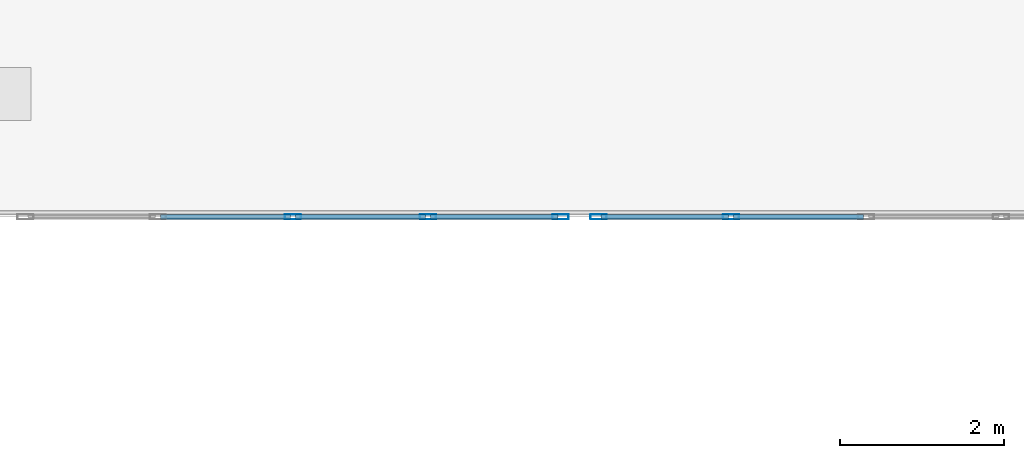
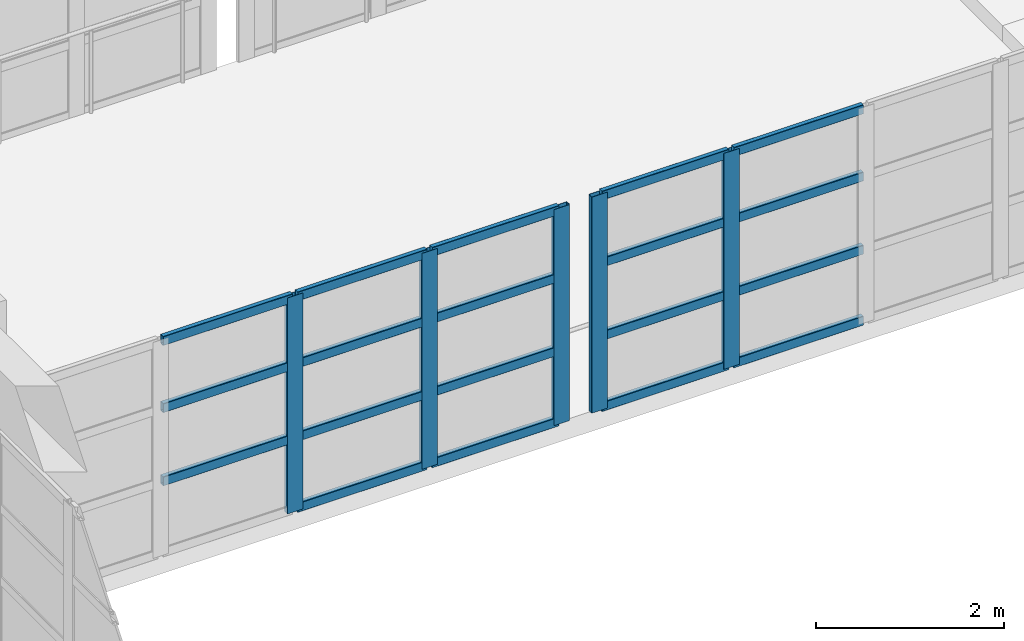
# One storey, part 11 of 124: 24 members, 2 elements without a shape of their own.
"""IFC4 building model written with IfcOpenShell, lengths in metres."""

from ifc_helpers import new_model, si_unit, direction, frame, origin, origin_2d, place, context, subcontext, project, spatial, hollow_rectangle, extrude, material, material_profile, profile_set, type_object, element, aggregate, save


model = new_model("IFC4")

# Units and contexts
model_context = context("Model", 3, precision=1e-05, world=origin(), true_north=direction((0.0, 1.0)))
body_context = subcontext(model_context, "Body", "Model", "MODEL_VIEW")
ifc_project = project(units=[si_unit("LENGTHUNIT", "METRE"), si_unit("AREAUNIT", "SQUARE_METRE"), si_unit("VOLUMEUNIT", "CUBIC_METRE"), si_unit("PLANEANGLEUNIT", "RADIAN"), si_unit("MASSUNIT", "GRAM", prefix="KILO")], contexts=[model_context])

# Site, building, storey
site_placement = place(None, origin())
site = spatial("IfcSite", under=ifc_project, at=site_placement, CompositionType="ELEMENT")
building_placement = place(site_placement, origin())
building = spatial("IfcBuilding", under=site, at=building_placement, Name="Qasida Concert Hall", CompositionType="ELEMENT")
storey_placement = place(building_placement, frame((0.0, 0.0, 9.0)))
storey = spatial("IfcBuildingStorey", under=building, at=storey_placement, Name="L02", CompositionType="ELEMENT", Elevation=9.0)

# Curtain wall, members
ifc_material_1 = material(Name="Architectural bronze-anodized aluminium and low-E glass", Category="aluminium")
curtain_wall_type = type_object("IfcCurtainWallType", Name="CW-08", PredefinedType="NOTDEFINED", material=ifc_material_1)
curtain_wall_1_placement = place(storey_placement, origin())
curtain_wall_1 = element("IfcCurtainWall", 1, at=curtain_wall_1_placement, inside=storey, type_object=curtain_wall_type, Name="L02 link bridge glazing 0202", PredefinedType="NOTDEFINED")
ifc_material_2 = material(Name="Architectural bronze-anodized aluminium EN AW-6063", Category="aluminium")
ifc_material_profile_1 = material_profile(ifc_material_2, hollow_rectangle(XDim=0.06494140625, YDim=0.199951171875, WallThickness=0.0048828125, InnerFilletRadius=0.0048828125, OuterFilletRadius=0.010009765625, at=origin_2d()), Name="CWM 200x65x5")
ifc_profile_set_1 = profile_set([ifc_material_profile_1], Name="Architectural bronze-anodized aluminium EN AW-6063")
member_type_1 = type_object("IfcMemberType", Name="MB-CWM-2", PredefinedType="MULLION", material=ifc_profile_set_1)
member_1_placement = place(storey_placement, frame((41.5, 30.0, 0.0), z_axis=(0.0, 0.0, 1.0), x_axis=(0.0, 1.0, 0.0)))
member_1 = element("IfcMember", 2, at=member_1_placement, type_object=member_type_1, Name="CW-08 mullion 3", PredefinedType="MULLION", context=body_context, shape_type="SweptSolid", body=[
    extrude(hollow_rectangle(XDim=0.06494140625, YDim=0.199951171875, WallThickness=0.0048828125, InnerFilletRadius=0.0048828125, OuterFilletRadius=0.010009765625, at=origin_2d()), origin(), (0.0, 0.0, 1.0), 2.800048828125),
])
member_2_placement = place(storey_placement, frame((43.14990234375, 30.0, 0.0), z_axis=(0.0, 0.0, 1.0), x_axis=(0.0, 1.0, 0.0)))
member_2 = element("IfcMember", 3, at=member_2_placement, type_object=member_type_1, Name="CW-08 mullion 4", PredefinedType="MULLION", context=body_context, shape_type="SweptSolid", body=[
    extrude(hollow_rectangle(XDim=0.06494140625, YDim=0.199951171875, WallThickness=0.0048828125, InnerFilletRadius=0.0048828125, OuterFilletRadius=0.010009765625, at=origin_2d()), origin(), (0.0, 0.0, 1.0), 2.800048828125),
])
member_3_placement = place(storey_placement, frame((44.767578125, 30.0, 0.0), z_axis=(0.0, 0.0, 1.0), x_axis=(0.0, 1.0, 0.0)))
member_3 = element("IfcMember", 4, at=member_3_placement, type_object=member_type_1, Name="CW-08 mullion 5", PredefinedType="MULLION", context=body_context, shape_type="SweptSolid", body=[
    extrude(hollow_rectangle(XDim=0.06494140625, YDim=0.199951171875, WallThickness=0.0048828125, InnerFilletRadius=0.0048828125, OuterFilletRadius=0.010009765625, at=origin_2d()), origin(), (0.0, 0.0, 1.0), 2.800048828125),
])

curtain_wall_2_placement = place(storey_placement, origin())
curtain_wall_2 = element("IfcCurtainWall", 5, at=curtain_wall_2_placement, inside=storey, type_object=curtain_wall_type, Name="L02 link bridge glazing 0204", PredefinedType="NOTDEFINED")
member_4_placement = place(storey_placement, frame((45.232421875, 30.0, 0.0), z_axis=(0.0, 0.0, 1.0), x_axis=(0.0, 1.0, 0.0)))
member_4 = element("IfcMember", 6, at=member_4_placement, type_object=member_type_1, Name="CW-08 mullion 1", PredefinedType="MULLION", context=body_context, shape_type="SweptSolid", body=[
    extrude(hollow_rectangle(XDim=0.06494140625, YDim=0.199951171875, WallThickness=0.0048828125, InnerFilletRadius=0.0048828125, OuterFilletRadius=0.010009765625, at=origin_2d()), origin(), (0.0, 0.0, 1.0), 2.800048828125),
])
member_5_placement = place(storey_placement, frame((46.85009765625, 30.0, 0.0), z_axis=(0.0, 0.0, 1.0), x_axis=(0.0, 1.0, 0.0)))
member_5 = element("IfcMember", 7, at=member_5_placement, type_object=member_type_1, Name="CW-08 mullion 2", PredefinedType="MULLION", context=body_context, shape_type="SweptSolid", body=[
    extrude(hollow_rectangle(XDim=0.06494140625, YDim=0.199951171875, WallThickness=0.0048828125, InnerFilletRadius=0.0048828125, OuterFilletRadius=0.010009765625, at=origin_2d()), origin(), (0.0, 0.0, 1.0), 2.800048828125),
])

# Member
ifc_material_profile_2 = material_profile(ifc_material_2, hollow_rectangle(XDim=0.06005859375, YDim=0.1201171875, WallThickness=0.00390625, InnerFilletRadius=0.00390625, OuterFilletRadius=0.008056640625, at=origin_2d()), Name="CWT 120x60x4")
ifc_profile_set_2 = profile_set([ifc_material_profile_2], Name="Architectural bronze-anodized aluminium EN AW-6063")
member_type_2 = type_object("IfcMemberType", Name="MB-CWT-2", PredefinedType="USERDEFINED", material=ifc_profile_set_2)
member_6_placement = place(storey_placement, frame((39.882568359375, 30.0, 0.949951171875), z_axis=(1.0, 0.0, 0.0), x_axis=(0.0, 1.0, 0.0)))
member_6 = element("IfcMember", 8, at=member_6_placement, type_object=member_type_2, Name="CW-08 transom 2.2", ObjectType="TRANSOM", PredefinedType="USERDEFINED", context=body_context, shape_type="SweptSolid", body=[
    extrude(hollow_rectangle(XDim=0.06005859375, YDim=0.1201171875, WallThickness=0.00390625, InnerFilletRadius=0.00390625, OuterFilletRadius=0.008056640625, at=origin_2d()), origin(), (0.0, 0.0, 1.0), 1.5849609375),
])

member_7_placement = place(storey_placement, frame((39.882568359375, 30.0, 1.89990234375), z_axis=(1.0, 0.0, 0.0), x_axis=(0.0, 1.0, 0.0)))
member_7 = element("IfcMember", 9, at=member_7_placement, type_object=member_type_2, Name="CW-08 transom 2.3", ObjectType="TRANSOM", PredefinedType="USERDEFINED", context=body_context, shape_type="SweptSolid", body=[
    extrude(hollow_rectangle(XDim=0.06005859375, YDim=0.1201171875, WallThickness=0.00390625, InnerFilletRadius=0.00390625, OuterFilletRadius=0.008056640625, at=origin_2d()), origin(), (0.0, 0.0, 1.0), 1.5849609375),
])

member_8_placement = place(storey_placement, frame((39.882568359375, 30.0, 2.77001953125), z_axis=(1.0, 0.0, 0.0), x_axis=(0.0, 1.0, 0.0)))
member_8 = element("IfcMember", 10, at=member_8_placement, type_object=member_type_2, Name="CW-08 transom 2.4", ObjectType="TRANSOM", PredefinedType="USERDEFINED", context=body_context, shape_type="SweptSolid", body=[
    extrude(hollow_rectangle(XDim=0.06005859375, YDim=0.1201171875, WallThickness=0.00390625, InnerFilletRadius=0.00390625, OuterFilletRadius=0.008056640625, at=origin_2d()), origin(), (0.0, 0.0, 1.0), 1.5849609375),
])

member_9_placement = place(storey_placement, frame((41.532470703125, 30.0, 0.030029296875), z_axis=(1.0, 0.0, 0.0), x_axis=(0.0, 1.0, 0.0)))
member_9 = element("IfcMember", 11, at=member_9_placement, type_object=member_type_2, Name="CW-08 transom 3.1", ObjectType="TRANSOM", PredefinedType="USERDEFINED", context=body_context, shape_type="SweptSolid", body=[
    extrude(hollow_rectangle(XDim=0.06005859375, YDim=0.1201171875, WallThickness=0.00390625, InnerFilletRadius=0.00390625, OuterFilletRadius=0.008056640625, at=origin_2d()), origin(), (0.0, 0.0, 1.0), 1.5849609375),
])

member_10_placement = place(storey_placement, frame((41.532470703125, 30.0, 0.949951171875), z_axis=(1.0, 0.0, 0.0), x_axis=(0.0, 1.0, 0.0)))
member_10 = element("IfcMember", 12, at=member_10_placement, type_object=member_type_2, Name="CW-08 transom 3.2", ObjectType="TRANSOM", PredefinedType="USERDEFINED", context=body_context, shape_type="SweptSolid", body=[
    extrude(hollow_rectangle(XDim=0.06005859375, YDim=0.1201171875, WallThickness=0.00390625, InnerFilletRadius=0.00390625, OuterFilletRadius=0.008056640625, at=origin_2d()), origin(), (0.0, 0.0, 1.0), 1.5849609375),
])

member_11_placement = place(storey_placement, frame((41.532470703125, 30.0, 1.89990234375), z_axis=(1.0, 0.0, 0.0), x_axis=(0.0, 1.0, 0.0)))
member_11 = element("IfcMember", 13, at=member_11_placement, type_object=member_type_2, Name="CW-08 transom 3.3", ObjectType="TRANSOM", PredefinedType="USERDEFINED", context=body_context, shape_type="SweptSolid", body=[
    extrude(hollow_rectangle(XDim=0.06005859375, YDim=0.1201171875, WallThickness=0.00390625, InnerFilletRadius=0.00390625, OuterFilletRadius=0.008056640625, at=origin_2d()), origin(), (0.0, 0.0, 1.0), 1.5849609375),
])

member_12_placement = place(storey_placement, frame((41.532470703125, 30.0, 2.77001953125), z_axis=(1.0, 0.0, 0.0), x_axis=(0.0, 1.0, 0.0)))
member_12 = element("IfcMember", 14, at=member_12_placement, type_object=member_type_2, Name="CW-08 transom 3.4", ObjectType="TRANSOM", PredefinedType="USERDEFINED", context=body_context, shape_type="SweptSolid", body=[
    extrude(hollow_rectangle(XDim=0.06005859375, YDim=0.1201171875, WallThickness=0.00390625, InnerFilletRadius=0.00390625, OuterFilletRadius=0.008056640625, at=origin_2d()), origin(), (0.0, 0.0, 1.0), 1.5849609375),
])

member_13_placement = place(storey_placement, frame((43.1826171875, 30.0, 0.030029296875), z_axis=(1.0, 0.0, 0.0), x_axis=(0.0, 1.0, 0.0)))
member_13 = element("IfcMember", 15, at=member_13_placement, type_object=member_type_2, Name="CW-08 transom 4.1", ObjectType="TRANSOM", PredefinedType="USERDEFINED", context=body_context, shape_type="SweptSolid", body=[
    extrude(hollow_rectangle(XDim=0.06005859375, YDim=0.1201171875, WallThickness=0.00390625, InnerFilletRadius=0.00390625, OuterFilletRadius=0.008056640625, at=origin_2d()), origin(), (0.0, 0.0, 1.0), 1.552490234375),
])

member_14_placement = place(storey_placement, frame((43.1826171875, 30.0, 0.949951171875), z_axis=(1.0, 0.0, 0.0), x_axis=(0.0, 1.0, 0.0)))
member_14 = element("IfcMember", 16, at=member_14_placement, type_object=member_type_2, Name="CW-08 transom 4.2", ObjectType="TRANSOM", PredefinedType="USERDEFINED", context=body_context, shape_type="SweptSolid", body=[
    extrude(hollow_rectangle(XDim=0.06005859375, YDim=0.1201171875, WallThickness=0.00390625, InnerFilletRadius=0.00390625, OuterFilletRadius=0.008056640625, at=origin_2d()), origin(), (0.0, 0.0, 1.0), 1.552490234375),
])

member_15_placement = place(storey_placement, frame((43.1826171875, 30.0, 1.89990234375), z_axis=(1.0, 0.0, 0.0), x_axis=(0.0, 1.0, 0.0)))
member_15 = element("IfcMember", 17, at=member_15_placement, type_object=member_type_2, Name="CW-08 transom 4.3", ObjectType="TRANSOM", PredefinedType="USERDEFINED", context=body_context, shape_type="SweptSolid", body=[
    extrude(hollow_rectangle(XDim=0.06005859375, YDim=0.1201171875, WallThickness=0.00390625, InnerFilletRadius=0.00390625, OuterFilletRadius=0.008056640625, at=origin_2d()), origin(), (0.0, 0.0, 1.0), 1.552490234375),
])

member_16_placement = place(storey_placement, frame((43.1826171875, 30.0, 2.77001953125), z_axis=(1.0, 0.0, 0.0), x_axis=(0.0, 1.0, 0.0)))
member_16 = element("IfcMember", 18, at=member_16_placement, type_object=member_type_2, Name="CW-08 transom 4.4", ObjectType="TRANSOM", PredefinedType="USERDEFINED", context=body_context, shape_type="SweptSolid", body=[
    extrude(hollow_rectangle(XDim=0.06005859375, YDim=0.1201171875, WallThickness=0.00390625, InnerFilletRadius=0.00390625, OuterFilletRadius=0.008056640625, at=origin_2d()), origin(), (0.0, 0.0, 1.0), 1.552490234375),
])

aggregate(curtain_wall_1, [member_1, member_2, member_3, member_6, member_7, member_8, member_9, member_10, member_11, member_12, member_13, member_14, member_15, member_16])

member_17_placement = place(storey_placement, frame((45.264892578125, 30.0, 0.030029296875), z_axis=(1.0, 0.0, 0.0), x_axis=(0.0, 1.0, 0.0)))
member_17 = element("IfcMember", 19, at=member_17_placement, type_object=member_type_2, Name="CW-08 transom 1.1", ObjectType="TRANSOM", PredefinedType="USERDEFINED", context=body_context, shape_type="SweptSolid", body=[
    extrude(hollow_rectangle(XDim=0.06005859375, YDim=0.1201171875, WallThickness=0.00390625, InnerFilletRadius=0.00390625, OuterFilletRadius=0.008056640625, at=origin_2d()), origin(), (0.0, 0.0, 1.0), 1.552490234375),
])

member_18_placement = place(storey_placement, frame((45.264892578125, 30.0, 0.949951171875), z_axis=(1.0, 0.0, 0.0), x_axis=(0.0, 1.0, 0.0)))
member_18 = element("IfcMember", 20, at=member_18_placement, type_object=member_type_2, Name="CW-08 transom 1.2", ObjectType="TRANSOM", PredefinedType="USERDEFINED", context=body_context, shape_type="SweptSolid", body=[
    extrude(hollow_rectangle(XDim=0.06005859375, YDim=0.1201171875, WallThickness=0.00390625, InnerFilletRadius=0.00390625, OuterFilletRadius=0.008056640625, at=origin_2d()), origin(), (0.0, 0.0, 1.0), 1.552490234375),
])

member_19_placement = place(storey_placement, frame((45.264892578125, 30.0, 1.89990234375), z_axis=(1.0, 0.0, 0.0), x_axis=(0.0, 1.0, 0.0)))
member_19 = element("IfcMember", 21, at=member_19_placement, type_object=member_type_2, Name="CW-08 transom 1.3", ObjectType="TRANSOM", PredefinedType="USERDEFINED", context=body_context, shape_type="SweptSolid", body=[
    extrude(hollow_rectangle(XDim=0.06005859375, YDim=0.1201171875, WallThickness=0.00390625, InnerFilletRadius=0.00390625, OuterFilletRadius=0.008056640625, at=origin_2d()), origin(), (0.0, 0.0, 1.0), 1.552490234375),
])

member_20_placement = place(storey_placement, frame((45.264892578125, 30.0, 2.77001953125), z_axis=(1.0, 0.0, 0.0), x_axis=(0.0, 1.0, 0.0)))
member_20 = element("IfcMember", 22, at=member_20_placement, type_object=member_type_2, Name="CW-08 transom 1.4", ObjectType="TRANSOM", PredefinedType="USERDEFINED", context=body_context, shape_type="SweptSolid", body=[
    extrude(hollow_rectangle(XDim=0.06005859375, YDim=0.1201171875, WallThickness=0.00390625, InnerFilletRadius=0.00390625, OuterFilletRadius=0.008056640625, at=origin_2d()), origin(), (0.0, 0.0, 1.0), 1.552490234375),
])

member_21_placement = place(storey_placement, frame((46.882568359375, 30.0, 0.030029296875), z_axis=(1.0, 0.0, 0.0), x_axis=(0.0, 1.0, 0.0)))
member_21 = element("IfcMember", 23, at=member_21_placement, type_object=member_type_2, Name="CW-08 transom 2.1", ObjectType="TRANSOM", PredefinedType="USERDEFINED", context=body_context, shape_type="SweptSolid", body=[
    extrude(hollow_rectangle(XDim=0.06005859375, YDim=0.1201171875, WallThickness=0.00390625, InnerFilletRadius=0.00390625, OuterFilletRadius=0.008056640625, at=origin_2d()), origin(), (0.0, 0.0, 1.0), 1.5849609375),
])

member_22_placement = place(storey_placement, frame((46.882568359375, 30.0, 0.949951171875), z_axis=(1.0, 0.0, 0.0), x_axis=(0.0, 1.0, 0.0)))
member_22 = element("IfcMember", 24, at=member_22_placement, type_object=member_type_2, Name="CW-08 transom 2.2", ObjectType="TRANSOM", PredefinedType="USERDEFINED", context=body_context, shape_type="SweptSolid", body=[
    extrude(hollow_rectangle(XDim=0.06005859375, YDim=0.1201171875, WallThickness=0.00390625, InnerFilletRadius=0.00390625, OuterFilletRadius=0.008056640625, at=origin_2d()), origin(), (0.0, 0.0, 1.0), 1.5849609375),
])

member_23_placement = place(storey_placement, frame((46.882568359375, 30.0, 1.89990234375), z_axis=(1.0, 0.0, 0.0), x_axis=(0.0, 1.0, 0.0)))
member_23 = element("IfcMember", 25, at=member_23_placement, type_object=member_type_2, Name="CW-08 transom 2.3", ObjectType="TRANSOM", PredefinedType="USERDEFINED", context=body_context, shape_type="SweptSolid", body=[
    extrude(hollow_rectangle(XDim=0.06005859375, YDim=0.1201171875, WallThickness=0.00390625, InnerFilletRadius=0.00390625, OuterFilletRadius=0.008056640625, at=origin_2d()), origin(), (0.0, 0.0, 1.0), 1.5849609375),
])

member_24_placement = place(storey_placement, frame((46.882568359375, 30.0, 2.77001953125), z_axis=(1.0, 0.0, 0.0), x_axis=(0.0, 1.0, 0.0)))
member_24 = element("IfcMember", 26, at=member_24_placement, type_object=member_type_2, Name="CW-08 transom 2.4", ObjectType="TRANSOM", PredefinedType="USERDEFINED", context=body_context, shape_type="SweptSolid", body=[
    extrude(hollow_rectangle(XDim=0.06005859375, YDim=0.1201171875, WallThickness=0.00390625, InnerFilletRadius=0.00390625, OuterFilletRadius=0.008056640625, at=origin_2d()), origin(), (0.0, 0.0, 1.0), 1.5849609375),
])

aggregate(curtain_wall_2, [member_4, member_5, member_17, member_18, member_19, member_20, member_21, member_22, member_23, member_24])

save(model, "model.ifc")
